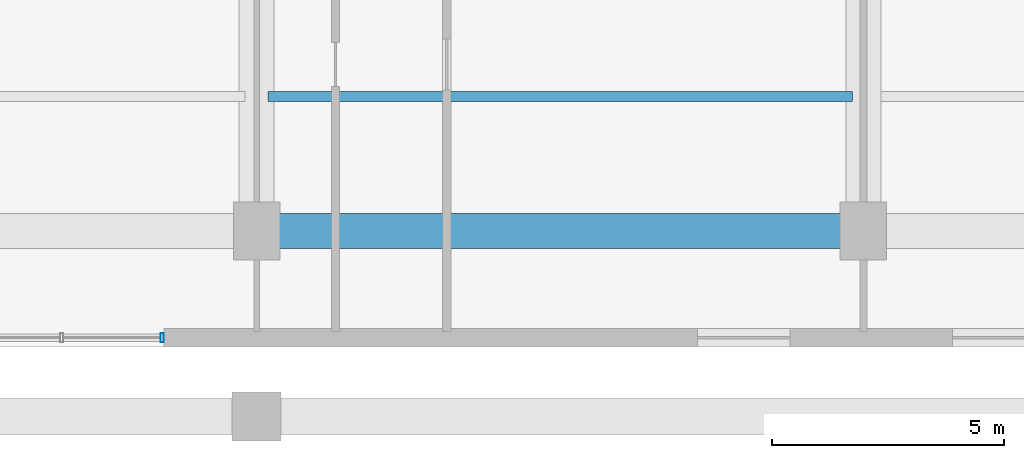
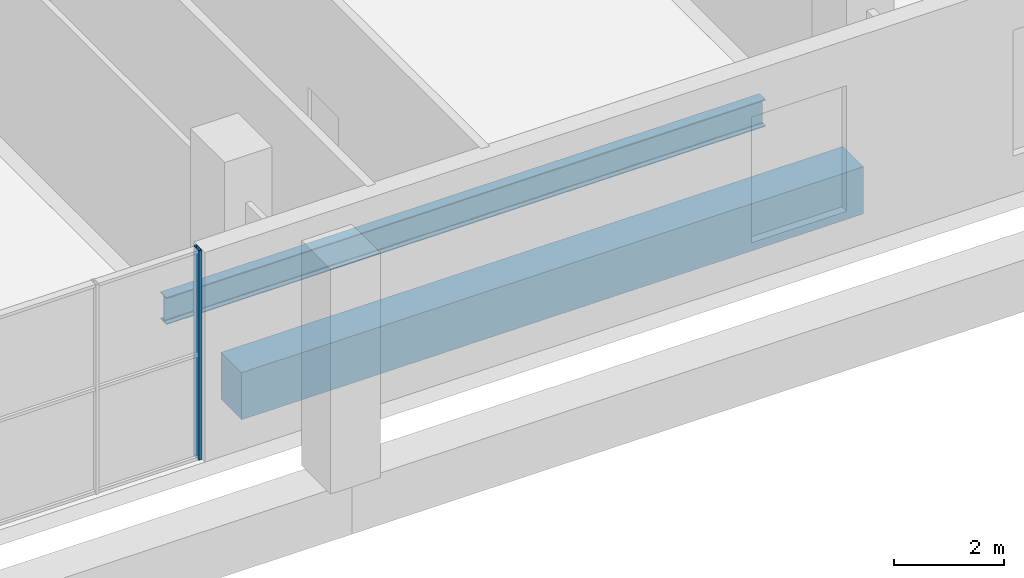
# One storey, part 4 of 14: 2 beams, 1 member, 1 element without a shape of its own.
"""IFC4 building model written with IfcOpenShell, lengths in metres."""

import ifcopenshell
import ifcopenshell.guid

model = None  # the IFC model being written
_history = None  # IfcOwnerHistory: only IFC2X3 demands one
_inside = {}  # id of a spatial element -> (the spatial element, [elements in it])
_under = {}  # id of a project, library or spatial element -> (it, [spatial elements below it])
_declared = {}  # id of a project -> (the project, [libraries it declares])
_typed = {}  # id of a type object -> (the type object, [elements of that type])
_made_of = {}  # id of a material, layer set ... -> (it, [elements and type objects made of it])


def new_model(schema):
    """Start an empty IFC model of exactly this schema.

    Asked for "IFC4X3", IfcOpenShell would pick the latest addendum, in which some entities
    have other attributes; the version numbers below select the first issue.
    IFC2X3 requires an IfcOwnerHistory on every rooted entity: one is made here for all.
    """
    global model, _history
    if schema == "IFC4X3":
        model = ifcopenshell.file(schema_version=(4, 3, 0, 0))
    else:
        model = ifcopenshell.file(schema=schema)
    _inside.clear()
    _under.clear()
    _declared.clear()
    _typed.clear()
    _made_of.clear()
    _history = None
    if model.schema == "IFC2X3":
        org = make("IfcOrganization", Name="unknown")
        user = make(
            "IfcPersonAndOrganization",
            ThePerson=make("IfcPerson", FamilyName="unknown"),
            TheOrganization=org,
        )
        app = make(
            "IfcApplication",
            ApplicationDeveloper=org,
            Version="unknown",
            ApplicationFullName="unknown",
            ApplicationIdentifier="unknown",
        )
        _history = make(
            "IfcOwnerHistory",
            OwningUser=user,
            OwningApplication=app,
            ChangeAction="ADDED",
            CreationDate=0,
        )
    return model


def make(cls, **values):
    """One entity of the class cls with the attributes given. An attribute that is None is left unset."""
    return model.create_entity(
        cls, **{name: value for name, value in values.items() if value is not None}
    )


def rooted(cls, **values):
    """An entity with a GlobalId (a new one), such as an element, a storey or a relation."""
    return make(cls, GlobalId=ifcopenshell.guid.new(), OwnerHistory=_history, **values)


def si_unit(unit_type, name, prefix=None):
    """IfcSIUnit, for example si_unit("LENGTHUNIT", "METRE", prefix="MILLI")."""
    return make("IfcSIUnit", UnitType=unit_type, Prefix=prefix, Name=name)


def assignment(units):
    """IfcUnitAssignment: the units of a project."""
    return None if units is None else make("IfcUnitAssignment", Units=units)


def point(xyz):
    """IfcCartesianPoint."""
    return None if xyz is None else make("IfcCartesianPoint", Coordinates=xyz)


def direction(xyz):
    """IfcDirection."""
    return None if xyz is None else make("IfcDirection", DirectionRatios=xyz)


def frame(location, z_axis=None, x_axis=None):
    """IfcAxis2Placement3D, a coordinate frame: its origin and axes. An axis left out is left unset."""
    return make(
        "IfcAxis2Placement3D",
        Location=point(location),
        Axis=direction(z_axis),
        RefDirection=direction(x_axis),
    )


def frame_2d(location, x_axis=None):
    """IfcAxis2Placement2D, a coordinate frame in the plane: its origin and x axis."""
    return make(
        "IfcAxis2Placement2D", Location=point(location), RefDirection=direction(x_axis)
    )


def origin():
    """The frame at (0, 0, 0) with its axes left unset."""
    return frame((0.0, 0.0, 0.0))


def origin_2d():
    """The frame at (0, 0) in the plane with its x axis left unset."""
    return frame_2d((0.0, 0.0))


def place(relative_to, where):
    """IfcLocalPlacement: puts the frame where relative to a parent placement (None: the world)."""
    return make(
        "IfcLocalPlacement", PlacementRelTo=relative_to, RelativePlacement=where
    )


def context(
    kind, dimensions, precision=None, world=None, true_north=None, identifier=None
):
    """IfcGeometricRepresentationContext, for example the 3D "Model" context."""
    return make(
        "IfcGeometricRepresentationContext",
        ContextIdentifier=identifier,
        ContextType=kind,
        CoordinateSpaceDimension=dimensions,
        Precision=precision,
        WorldCoordinateSystem=world,
        TrueNorth=true_north,
    )


def subcontext(parent, identifier, kind, view, scale=None):
    """IfcGeometricRepresentationSubContext, for example "Body" below "Model"."""
    return make(
        "IfcGeometricRepresentationSubContext",
        ContextIdentifier=identifier,
        ContextType=kind,
        ParentContext=parent,
        TargetScale=scale,
        TargetView=view,
    )


def project(units=None, contexts=None):
    """IfcProject with its units and contexts."""
    return rooted(
        "IfcProject",
        Name="project",
        RepresentationContexts=contexts,
        UnitsInContext=assignment(units),
    )


def spatial(cls, under=None, at=None, **own):
    """A site, building, storey or space (cls), placed at a placement, below another one or the project."""
    s = rooted(cls, ObjectPlacement=at, **own)
    if under is not None:
        _under.setdefault(under.id(), (under, []))[1].append(s)
    return s


def profile(cls, at=None, kind="AREA", **sizes):
    """A parametric profile (cls). Its sizes go by their IFC names, for example OverallWidth=200.0."""
    return make(cls, ProfileType=kind, Position=at, **sizes)


def rectangle(**sizes):
    """IfcRectangleProfileDef."""
    return profile("IfcRectangleProfileDef", **sizes)


def hollow_rectangle(**sizes):
    """IfcRectangleHollowProfileDef."""
    return profile("IfcRectangleHollowProfileDef", **sizes)


def i_section(**sizes):
    """IfcIShapeProfileDef."""
    return profile("IfcIShapeProfileDef", **sizes)


def extrude(swept, where, along, depth):
    """IfcExtrudedAreaSolid: the profile swept, set in the frame where, extruded along a direction by depth."""
    return make(
        "IfcExtrudedAreaSolid",
        SweptArea=swept,
        Position=where,
        ExtrudedDirection=direction(along),
        Depth=depth,
    )


def shape(context_of_items, identifier, shape_type, items):
    """IfcShapeRepresentation: the items that make up one representation, for example the "Body"."""
    return make(
        "IfcShapeRepresentation",
        ContextOfItems=context_of_items,
        RepresentationIdentifier=identifier,
        RepresentationType=shape_type,
        Items=items,
    )


def source(mapping_origin, context_of_items, identifier, shape_type, items):
    """IfcRepresentationMap: a shape defined once, which mapped items show again and again."""
    return make(
        "IfcRepresentationMap",
        MappingOrigin=mapping_origin,
        MappedRepresentation=shape(context_of_items, identifier, shape_type, items),
    )


def transform(
    local_origin,
    x_axis=None,
    y_axis=None,
    z_axis=None,
    scale=None,
    scale2=None,
    scale3=None,
    uniform=True,
):
    """IfcCartesianTransformationOperator3D, or its non-uniform kind. x_axis, y_axis, z_axis: its Axis1, 2, 3."""
    if uniform:
        return make(
            "IfcCartesianTransformationOperator3D",
            Axis1=direction(x_axis),
            Axis2=direction(y_axis),
            LocalOrigin=point(local_origin),
            Scale=scale,
            Axis3=direction(z_axis),
        )
    return make(
        "IfcCartesianTransformationOperator3DnonUniform",
        Axis1=direction(x_axis),
        Axis2=direction(y_axis),
        LocalOrigin=point(local_origin),
        Scale=scale,
        Axis3=direction(z_axis),
        Scale2=scale2,
        Scale3=scale3,
    )


def mapped(mapping_source, mapping_target):
    """IfcMappedItem: shows the shape of a source again, moved by a transform."""
    return make(
        "IfcMappedItem", MappingSource=mapping_source, MappingTarget=mapping_target
    )


def material(Name=None, Category=None):
    """IfcMaterial."""
    return make("IfcMaterial", Name=Name, Category=Category)


def layer(
    of_material, thickness, ventilated=None, Name=None, Category=None, Priority=None
):
    """IfcMaterialLayer: one layer of a wall or slab, of a material (None: an air gap)."""
    return make(
        "IfcMaterialLayer",
        Material=of_material,
        LayerThickness=thickness,
        IsVentilated=ventilated,
        Name=Name,
        Category=Category,
        Priority=Priority,
    )


def layer_set(layers, Name=None):
    """IfcMaterialLayerSet."""
    return make("IfcMaterialLayerSet", MaterialLayers=layers, LayerSetName=Name)


def material_profile(
    of_material, cross_section, Name=None, Category=None, Priority=None
):
    """IfcMaterialProfile: a cross section and its material."""
    return make(
        "IfcMaterialProfile",
        Name=Name,
        Material=of_material,
        Profile=cross_section,
        Priority=Priority,
        Category=Category,
    )


def profile_set(profiles, Name=None, composite=None):
    """IfcMaterialProfileSet."""
    return make(
        "IfcMaterialProfileSet",
        Name=Name,
        MaterialProfiles=profiles,
        CompositeProfile=composite,
    )


def made_of(thing, what):
    """Note that an element or type object is made of a material, layer set ...; save() writes the relation."""
    if what is not None:
        _made_of.setdefault(what.id(), (what, []))[1].append(thing)
    return thing


def type_object(cls, material=None, **own):
    """A type object (cls), such as IfcWallType, which elements share."""
    return made_of(rooted(cls, **own), material)


def element(
    cls,
    number,
    at=None,
    inside=None,
    cuts=None,
    type_object=None,
    material=None,
    context=None,
    identifier="Body",
    shape_type=None,
    held_by="IfcProductDefinitionShape",
    body=None,
    shapes=None,
    **own,
):
    """One element of the class cls, such as IfcWall. Its Tag is "e" and its number.

    at: its placement. inside: the storey or other place that contains it. cuts: it is an
    opening in that element (IfcRelVoidsElement). A single representation is given by context,
    identifier, shape_type and body (its items); several are given by shapes. held_by: the class
    of the entity that holds the representations. save() writes the other relations.
    """
    e = rooted(cls, Tag="e%d" % number, ObjectPlacement=at, **own)
    if body is not None:
        shapes = [shape(context, identifier, shape_type, body)]
    if shapes is not None:
        e.Representation = make(held_by, Representations=shapes)
    if inside is not None:
        _inside.setdefault(inside.id(), (inside, []))[1].append(e)
    if cuts is not None:
        rooted(
            "IfcRelVoidsElement", RelatingBuildingElement=cuts, RelatedOpeningElement=e
        )
    if type_object is not None:
        _typed.setdefault(type_object.id(), (type_object, []))[1].append(e)
    return made_of(e, material)


def aggregate(whole, parts):
    """IfcRelAggregates: a whole, such as a stair, and the parts it consists of."""
    return rooted("IfcRelAggregates", RelatingObject=whole, RelatedObjects=parts)


def save(model, path):
    """Write the relations noted so far, then the file.

    IfcRelAggregates (storeys below a building ...), IfcRelContainedInSpatialStructure (elements
    in a storey), IfcRelDefinesByType, IfcRelAssociatesMaterial and IfcRelDeclares: one each for
    every whole, place, type object, material and project.
    """
    for whole, parts in _under.values():
        aggregate(whole, parts)
    for where, things in _inside.values():
        rooted(
            "IfcRelContainedInSpatialStructure",
            RelatedElements=things,
            RelatingStructure=where,
        )
    for kind, things in _typed.values():
        rooted("IfcRelDefinesByType", RelatedObjects=things, RelatingType=kind)
    for what, things in _made_of.values():
        rooted("IfcRelAssociatesMaterial", RelatedObjects=things, RelatingMaterial=what)
    for by, libraries in _declared.values():
        rooted("IfcRelDeclares", RelatingContext=by, RelatedDefinitions=libraries)
    model.write(path)


model = new_model("IFC4")

# Units and contexts
model_context = context("Model", 3, precision=1e-05, world=origin(), true_north=direction((0.0, 1.0)))
body_context = subcontext(model_context, "Body", "Model", "MODEL_VIEW")
ifc_project = project(units=[si_unit("LENGTHUNIT", "METRE"), si_unit("AREAUNIT", "SQUARE_METRE"), si_unit("VOLUMEUNIT", "CUBIC_METRE"), si_unit("PLANEANGLEUNIT", "RADIAN"), si_unit("MASSUNIT", "GRAM", prefix="KILO"), si_unit("THERMODYNAMICTEMPERATUREUNIT", "KELVIN")], contexts=[model_context])

# Site, building, storey
site_placement = place(None, origin())
site = spatial("IfcSite", under=ifc_project, at=site_placement, CompositionType="ELEMENT")
building_placement = place(site_placement, origin())
building = spatial("IfcBuilding", under=site, at=building_placement, Name="Kosmvard Interchange Tower", CompositionType="ELEMENT")
storey_placement = place(building_placement, frame((0.0, 0.0, 16.0)))
storey = spatial("IfcBuildingStorey", under=building, at=storey_placement, Name="L03", CompositionType="ELEMENT", Elevation=16.0)

# Beams
ifc_material_1 = material(Name="Steel S355", Category="steel")
ifc_material_profile_1 = material_profile(ifc_material_1, i_section(OverallWidth=0.219970703125, OverallDepth=0.60009765625, WebThickness=0.011962890625, FlangeThickness=0.01904296875, FilletRadius=0.02392578125, at=origin_2d()), Name="IPE 600")
ifc_profile_set_1 = profile_set([ifc_material_profile_1], Name="Steel S355")
beam_type_1 = type_object("IfcBeamType", Name="Long-Span Floor Joist IPE 600 S355", PredefinedType="JOIST", material=ifc_profile_set_1)
shared_shape_1 = source(origin(), body_context, "Body", "SweptSolid", [
    extrude(i_section(OverallWidth=0.219970703125, OverallDepth=0.60009765625, WebThickness=0.011962890625, FlangeThickness=0.01904296875, FilletRadius=0.02392578125, at=origin_2d()), origin(), (0.0, 0.0, 1.0), 12.60009765625),
])
beam_1_placement = place(storey_placement, frame((0.25, -18.60009765625, -0.639892578125), z_axis=(1.0, 0.0, 0.0), x_axis=(0.0, 1.0, 0.0)))
element("IfcBeam", 1, at=beam_1_placement, inside=storey, type_object=beam_type_1, Name="BM-L03-PJ03", PredefinedType="JOIST", context=body_context, shape_type="MappedRepresentation", body=[
    mapped(shared_shape_1, transform((0.0, 0.0, 0.0), scale=1.0)),
])
ifc_material_2 = material(Name="Concrete C60/75", Category="concrete")
ifc_material_profile_2 = material_profile(ifc_material_2, rectangle(XDim=0.75, YDim=1.050048828125, at=origin_2d()), Name="RCG 750x1050")
ifc_profile_set_2 = profile_set([ifc_material_profile_2], Name="Concrete C60/75")
beam_type_2 = type_object("IfcBeamType", Name="Concourse Mid-Span RC Girder 750x1050 C60/75", PredefinedType="BEAM", material=ifc_profile_set_2)
shared_shape_2 = source(origin(), body_context, "Body", "SweptSolid", [
    extrude(rectangle(XDim=0.75, YDim=1.050048828125, at=origin_2d()), origin(), (0.0, 0.0, 1.0), 13.0810546875),
])
beam_2_placement = place(storey_placement, frame((0.0, -21.5, -0.52490234375), z_axis=(1.0, 0.0, 0.0), x_axis=(0.0, 1.0, 0.0)))
element("IfcBeam", 2, at=beam_2_placement, inside=storey, type_object=beam_type_2, Name="BM-L03-PG-S3", PredefinedType="BEAM", context=body_context, shape_type="MappedRepresentation", body=[
    mapped(shared_shape_2, transform((0.0, 0.0, 0.0), scale=1.0)),
])

# Curtain wall, member
ifc_material_3 = material(Name="Architectural anodised aluminium", Category="aluminium")
ifc_layer = layer(ifc_material_3, 0.199951171875, Name="Architectural anodised aluminium")
ifc_layer_set = layer_set([ifc_layer], Name="Architectural anodised aluminium")
curtain_wall_type = type_object("IfcCurtainWallType", Name="CW-2 Cascade Terrace Hall Curtain Wall", PredefinedType="NOTDEFINED", material=ifc_layer_set)
curtain_wall_placement = place(storey_placement, origin())
curtain_wall = element("IfcCurtainWall", 3, at=curtain_wall_placement, inside=storey, type_object=curtain_wall_type, Name="L03 South Terrace Hall Curtain Wall", PredefinedType="NOTDEFINED")
ifc_material_profile_3 = material_profile(ifc_material_3, hollow_rectangle(XDim=0.199951171875, YDim=0.070068359375, WallThickness=0.0048828125, at=origin_2d()), Name="CWM 200x70x5")
ifc_profile_set_3 = profile_set([ifc_material_profile_3], Name="Architectural anodised aluminium")
member_type = type_object("IfcMemberType", Name="Terrace CW Mullion 200x70 Aluminium", PredefinedType="MULLION", material=ifc_profile_set_3)
shared_shape_3 = source(origin(), body_context, "Body", "SweptSolid", [
    extrude(hollow_rectangle(XDim=0.199951171875, YDim=0.070068359375, WallThickness=0.0048828125, at=origin_2d()), origin(), (0.0, 0.0, 1.0), 4.659912109375),
])
member_placement = place(storey_placement, frame((-2.034912109375, -23.800048828125, 0.0), z_axis=(0.0, 0.0, 1.0), x_axis=(0.0, 1.0, 0.0)))
member = element("IfcMember", 4, at=member_placement, type_object=member_type, Name="CW-2 mullion 3", PredefinedType="MULLION", context=body_context, shape_type="MappedRepresentation", body=[
    mapped(shared_shape_3, transform((0.0, 0.0, 0.0), scale=1.0)),
])
aggregate(curtain_wall, [member])

save(model, "model.ifc")
